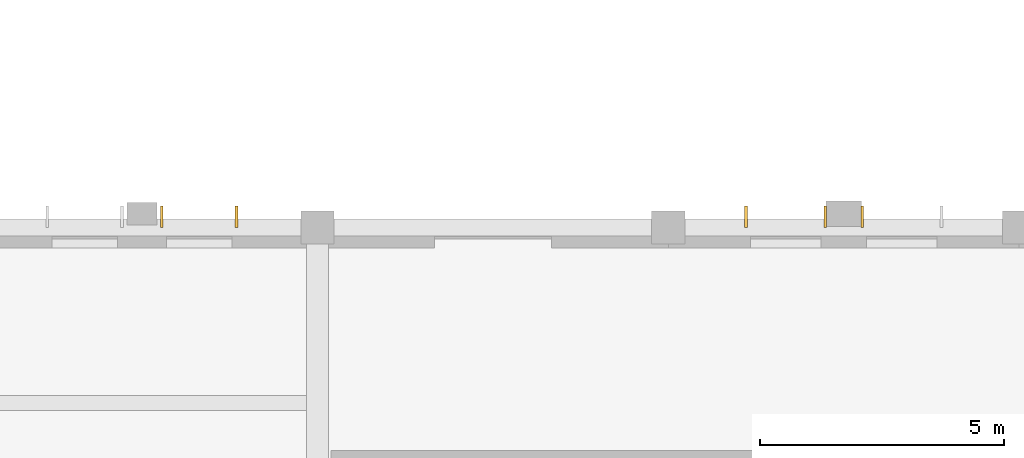
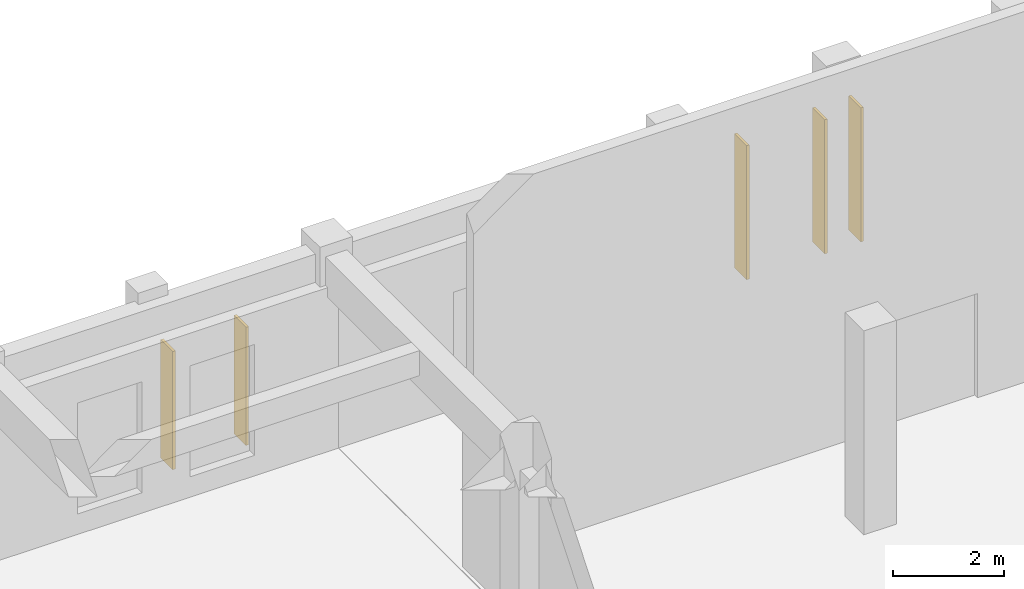
# One storey, part 40 of 43: 5 coverings.
"""IFC4 building model written with IfcOpenShell, lengths in metres."""

from ifc_helpers import new_model, si_unit, direction, frame, origin, place, context, subcontext, project, spatial, polyline, outline, extrude, material, layer, layer_set, type_object, element, save


model = new_model("IFC4")

# Units and contexts
model_context = context("Model", 3, precision=1e-05, world=origin(), true_north=direction((0.0, 1.0)))
body_context = subcontext(model_context, "Body", "Model", "MODEL_VIEW")
ifc_project = project(units=[si_unit("LENGTHUNIT", "METRE"), si_unit("AREAUNIT", "SQUARE_METRE"), si_unit("VOLUMEUNIT", "CUBIC_METRE"), si_unit("PLANEANGLEUNIT", "RADIAN"), si_unit("MASSUNIT", "GRAM", prefix="KILO")], contexts=[model_context])

# Site, building, storey
site_placement = place(None, origin())
site = spatial("IfcSite", under=ifc_project, at=site_placement, CompositionType="ELEMENT")
building_placement = place(site_placement, origin())
building = spatial("IfcBuilding", under=site, at=building_placement, Name="Alvorim Cloister Faculty of Sciences", CompositionType="ELEMENT")
storey_placement = place(building_placement, origin())
storey = spatial("IfcBuildingStorey", under=building, at=storey_placement, Name="L00", CompositionType="ELEMENT", Elevation=0.0)

# Coverings
ifc_material = material(Name="Anodised Aluminium Alloy 6063-T6", Category="aluminium")
ifc_layer = layer(ifc_material, 0.054931640625)
ifc_layer_set = layer_set([ifc_layer], Name="Anodised Aluminium Alloy 6063-T6")
covering_type = type_object("IfcCoveringType", Name="COV-SHD-FIN", PredefinedType="CLADDING", material=ifc_layer_set)
for number, where, z_axis, x_axis, name in (
    (1, (123.993408203125, 28.800048828125, 0.389892578125), (0.0, 0.0, 1.0), (0.0, 1.0, 0.0), "L00 Brise-Soleil Vertical Fin COV-FIN-00127"),
    (2, (125.623291015625, 28.800048828125, 0.389892578125), (0.0, 0.0, 1.0), (0.0, 1.0, 0.0), "L00 Brise-Soleil Vertical Fin COV-FIN-00128"),
    (3, (126.376708984375, 28.800048828125, 0.389892578125), (0.0, 0.0, 1.0), (0.0, 1.0, 0.0), "L00 Brise-Soleil Vertical Fin COV-FIN-00129"),
):
    element("IfcCovering", number, at=place(storey_placement, frame(where, z_axis=z_axis, x_axis=x_axis)), inside=storey, type_object=covering_type, Name=name, PredefinedType="CLADDING", context=body_context, shape_type="SweptSolid", body=[
        extrude(outline(polyline([(0.0, 0.0), (0.43994140625, 0.0), (0.43994140625, 2.960205078125), (0.0, 2.960205078125), (0.0, 0.0)])), frame((0.0, 0.02734375, 0.0), z_axis=(0.0, -1.0, 0.0), x_axis=(1.0, 0.0, 0.0)), (0.0, 0.0, 1.0), 0.054931640625),
    ])
for number, where, z_axis, x_axis, name in (
    (4, (112.010009765625, 28.800048828125, 0.389892578125), (0.0, 0.0, 1.0), (0.0, 1.0, 0.0), "L00 Brise-Soleil Vertical Fin COV-FIN-00173"),
    (5, (113.5400390625, 28.800048828125, 0.389892578125), (0.0, 0.0, 1.0), (0.0, 1.0, 0.0), "L00 Brise-Soleil Vertical Fin COV-FIN-00174"),
):
    element("IfcCovering", number, at=place(storey_placement, frame(where, z_axis=z_axis, x_axis=x_axis)), inside=storey, type_object=covering_type, Name=name, PredefinedType="CLADDING", context=body_context, shape_type="SweptSolid", body=[
        extrude(outline(polyline([(0.0, 0.0), (0.43994140625, 0.0), (0.43994140625, 2.610107421875), (0.0, 2.610107421875), (0.0, 0.0)])), frame((0.0, 0.02734375, 0.0), z_axis=(0.0, -1.0, 0.0), x_axis=(1.0, 0.0, 0.0)), (0.0, 0.0, 1.0), 0.054931640625),
    ])

save(model, "model.ifc")
